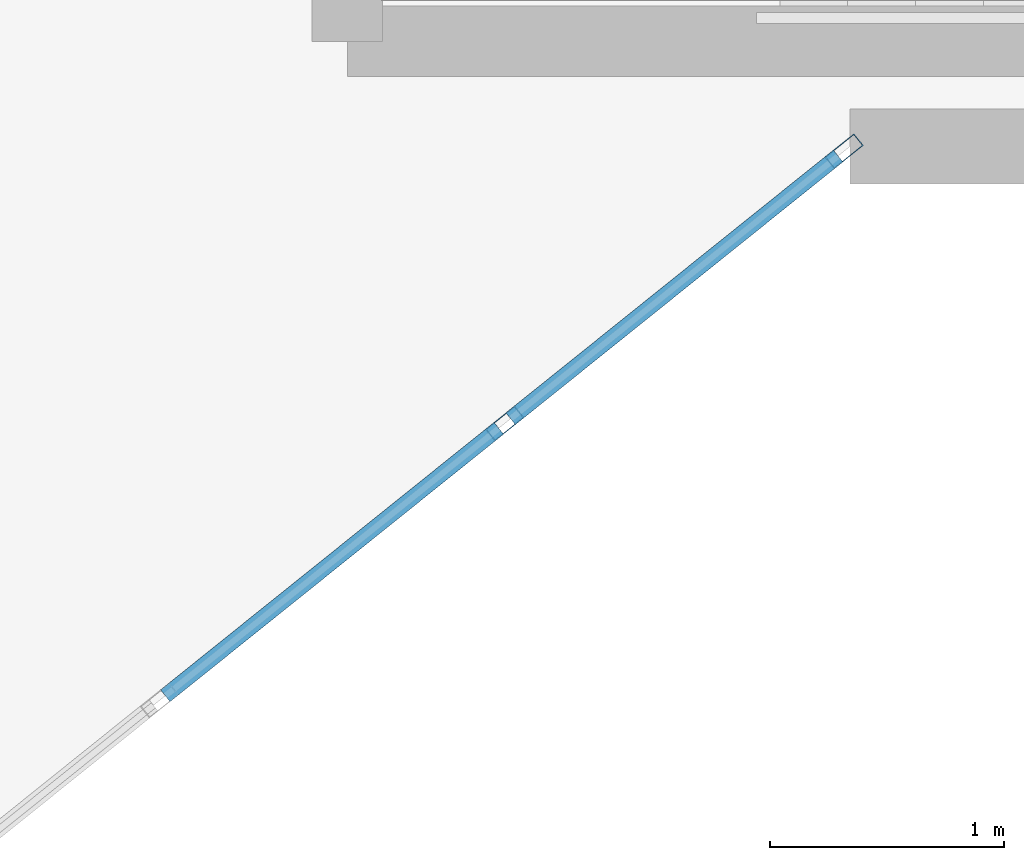
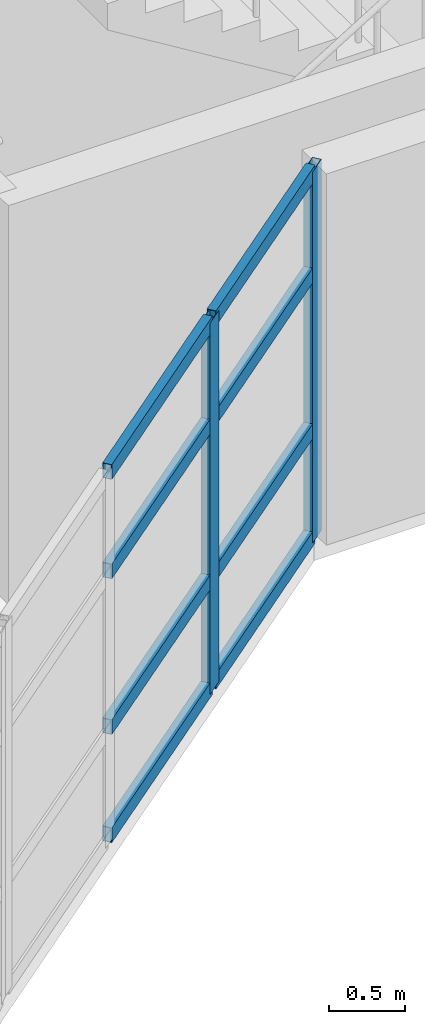
# One storey, part 14 of 54: 10 members, 1 element without a shape of its own.
"""IFC4 building model written with IfcOpenShell, lengths in metres."""

from ifc_helpers import new_model, si_unit, direction, frame, origin, origin_2d, place, context, subcontext, project, spatial, hollow_rectangle, extrude, material, layer, layer_set, material_profile, profile_set, type_object, element, aggregate, save


model = new_model("IFC4")

# Units and contexts
model_context = context("Model", 3, precision=1e-05, world=origin(), true_north=direction((0.0, 1.0)))
body_context = subcontext(model_context, "Body", "Model", "MODEL_VIEW")
ifc_project = project(units=[si_unit("LENGTHUNIT", "METRE"), si_unit("AREAUNIT", "SQUARE_METRE"), si_unit("VOLUMEUNIT", "CUBIC_METRE"), si_unit("PLANEANGLEUNIT", "RADIAN"), si_unit("MASSUNIT", "GRAM", prefix="KILO")], contexts=[model_context])

# Site, building, storey
site_placement = place(None, origin())
site = spatial("IfcSite", under=ifc_project, at=site_placement, CompositionType="ELEMENT")
building_placement = place(site_placement, origin())
building = spatial("IfcBuilding", under=site, at=building_placement, Name="Keldmere Railside Commons", CompositionType="ELEMENT")
storey_placement = place(building_placement, frame((0.0, 0.0, 26.56005859375)))
storey = spatial("IfcBuildingStorey", under=building, at=storey_placement, Name="L08", CompositionType="ELEMENT", Elevation=26.56005859375)

# Curtain wall, members
ifc_material = material(Name="Thermally Broken Aluminium", Category="aluminium")
ifc_layer = layer(ifc_material, 0.159912109375, Name="Court Chord Wintergarden CW 4800x2850")
ifc_layer_set = layer_set([ifc_layer], Name="Thermally Broken Aluminium")
curtain_wall_type = type_object("IfcCurtainWallType", Name="Court Chord Wintergarden CW 4800x2850", PredefinedType="NOTDEFINED", material=ifc_layer_set)
curtain_wall_placement = place(storey_placement, origin())
curtain_wall = element("IfcCurtainWall", 1, at=curtain_wall_placement, inside=storey, type_object=curtain_wall_type, Name="CW-12 CW-L08-135", PredefinedType="NOTDEFINED")
ifc_material_profile_1 = material_profile(ifc_material, hollow_rectangle(XDim=0.06494140625, YDim=0.159912109375, WallThickness=0.00390625, at=origin_2d()), Name="ALU-MULL-65x160")
ifc_profile_set_1 = profile_set([ifc_material_profile_1], Name="Thermally Broken Aluminium")
member_type_1 = type_object("IfcMemberType", Name="Unitised Curtain Wall Mullion 65x160", PredefinedType="MULLION", material=ifc_profile_set_1)
member_1_placement = place(storey_placement, frame((131.974609375, 99.979736328125, 0.0), z_axis=(0.0, 0.0, 1.0), x_axis=(0.625768080915, -0.780009172323, 0.0)))
member_1 = element("IfcMember", 2, at=member_1_placement, type_object=member_type_1, Name="CW-12 mullion 1", PredefinedType="MULLION", context=body_context, shape_type="SweptSolid", body=[
    extrude(hollow_rectangle(XDim=0.06494140625, YDim=0.159912109375, WallThickness=0.00390625, at=origin_2d()), origin(), (0.0, 0.0, 1.0), 2.97998046875),
])
member_2_placement = place(storey_placement, frame((130.5234375, 98.8154296875, 0.0), z_axis=(0.0, 0.0, 1.0), x_axis=(0.625768080915, -0.780009172323, 0.0)))
member_2 = element("IfcMember", 3, at=member_2_placement, type_object=member_type_1, Name="CW-12 mullion 2", PredefinedType="MULLION", context=body_context, shape_type="SweptSolid", body=[
    extrude(hollow_rectangle(XDim=0.06494140625, YDim=0.159912109375, WallThickness=0.00390625, at=origin_2d()), origin(), (0.0, 0.0, 1.0), 2.97998046875),
])
ifc_material_profile_2 = material_profile(ifc_material, hollow_rectangle(XDim=0.06494140625, YDim=0.1201171875, WallThickness=0.00390625, at=origin_2d()), Name="ALU-TRAN-65x120")
ifc_profile_set_2 = profile_set([ifc_material_profile_2], Name="Thermally Broken Aluminium")
member_type_2 = type_object("IfcMemberType", Name="Unitised Curtain Wall Transom 65x120", PredefinedType="USERDEFINED", material=ifc_profile_set_2)
member_3_placement = place(storey_placement, frame((131.94921875, 99.959228515625, 0.032470703125), z_axis=(-0.780045694992, -0.625722553313, 0.0), x_axis=(0.625722553313, -0.780045694992, 0.0)))
member_3 = element("IfcMember", 4, at=member_3_placement, type_object=member_type_2, Name="CW-12 transom 1.1", ObjectType="TRANSOM", PredefinedType="USERDEFINED", context=body_context, shape_type="SweptSolid", body=[
    extrude(hollow_rectangle(XDim=0.06494140625, YDim=0.1201171875, WallThickness=0.00390625, at=origin_2d()), origin(), (0.0, 0.0, 1.0), 1.795654296875),
])
member_4_placement = place(storey_placement, frame((131.94921875, 99.959228515625, 0.89990234375), z_axis=(-0.780045694992, -0.625722553313, 0.0), x_axis=(0.625722553313, -0.780045694992, 0.0)))
member_4 = element("IfcMember", 5, at=member_4_placement, type_object=member_type_2, Name="CW-12 transom 1.2", ObjectType="TRANSOM", PredefinedType="USERDEFINED", context=body_context, shape_type="SweptSolid", body=[
    extrude(hollow_rectangle(XDim=0.06494140625, YDim=0.1201171875, WallThickness=0.00390625, at=origin_2d()), origin(), (0.0, 0.0, 1.0), 1.795654296875),
])
member_5_placement = place(storey_placement, frame((131.94921875, 99.959228515625, 2.14990234375), z_axis=(-0.780045694992, -0.625722553313, 0.0), x_axis=(0.625722553313, -0.780045694992, 0.0)))
member_5 = element("IfcMember", 6, at=member_5_placement, type_object=member_type_2, Name="CW-12 transom 1.3", ObjectType="TRANSOM", PredefinedType="USERDEFINED", context=body_context, shape_type="SweptSolid", body=[
    extrude(hollow_rectangle(XDim=0.06494140625, YDim=0.1201171875, WallThickness=0.00390625, at=origin_2d()), origin(), (0.0, 0.0, 1.0), 1.795654296875),
])
member_6_placement = place(storey_placement, frame((131.94921875, 99.959228515625, 2.947509765625), z_axis=(-0.780045694992, -0.625722553313, 0.0), x_axis=(0.625722553313, -0.780045694992, 0.0)))
member_6 = element("IfcMember", 7, at=member_6_placement, type_object=member_type_2, Name="CW-12 transom 1.4", ObjectType="TRANSOM", PredefinedType="USERDEFINED", context=body_context, shape_type="SweptSolid", body=[
    extrude(hollow_rectangle(XDim=0.06494140625, YDim=0.1201171875, WallThickness=0.00390625, at=origin_2d()), origin(), (0.0, 0.0, 1.0), 1.795654296875),
])
member_7_placement = place(storey_placement, frame((130.498046875, 98.794921875, 0.032470703125), z_axis=(-0.78007338409, -0.625688033635, 0.0), x_axis=(0.625688033635, -0.78007338409, 0.0)))
member_7 = element("IfcMember", 8, at=member_7_placement, type_object=member_type_2, Name="CW-12 transom 2.1", ObjectType="TRANSOM", PredefinedType="USERDEFINED", context=body_context, shape_type="SweptSolid", body=[
    extrude(hollow_rectangle(XDim=0.06494140625, YDim=0.1201171875, WallThickness=0.00390625, at=origin_2d()), origin(), (0.0, 0.0, 1.0), 1.828125),
])
member_8_placement = place(storey_placement, frame((130.498046875, 98.794921875, 0.89990234375), z_axis=(-0.78007338409, -0.625688033635, 0.0), x_axis=(0.625688033635, -0.78007338409, 0.0)))
member_8 = element("IfcMember", 9, at=member_8_placement, type_object=member_type_2, Name="CW-12 transom 2.2", ObjectType="TRANSOM", PredefinedType="USERDEFINED", context=body_context, shape_type="SweptSolid", body=[
    extrude(hollow_rectangle(XDim=0.06494140625, YDim=0.1201171875, WallThickness=0.00390625, at=origin_2d()), origin(), (0.0, 0.0, 1.0), 1.828125),
])
member_9_placement = place(storey_placement, frame((130.498046875, 98.794921875, 2.14990234375), z_axis=(-0.78007338409, -0.625688033635, 0.0), x_axis=(0.625688033635, -0.78007338409, 0.0)))
member_9 = element("IfcMember", 10, at=member_9_placement, type_object=member_type_2, Name="CW-12 transom 2.3", ObjectType="TRANSOM", PredefinedType="USERDEFINED", context=body_context, shape_type="SweptSolid", body=[
    extrude(hollow_rectangle(XDim=0.06494140625, YDim=0.1201171875, WallThickness=0.00390625, at=origin_2d()), origin(), (0.0, 0.0, 1.0), 1.828125),
])
member_10_placement = place(storey_placement, frame((130.498046875, 98.794921875, 2.947509765625), z_axis=(-0.78007338409, -0.625688033635, 0.0), x_axis=(0.625688033635, -0.78007338409, 0.0)))
member_10 = element("IfcMember", 11, at=member_10_placement, type_object=member_type_2, Name="CW-12 transom 2.4", ObjectType="TRANSOM", PredefinedType="USERDEFINED", context=body_context, shape_type="SweptSolid", body=[
    extrude(hollow_rectangle(XDim=0.06494140625, YDim=0.1201171875, WallThickness=0.00390625, at=origin_2d()), origin(), (0.0, 0.0, 1.0), 1.828125),
])
aggregate(curtain_wall, [member_1, member_2, member_3, member_4, member_5, member_6, member_7, member_8, member_9, member_10])

save(model, "model.ifc")
